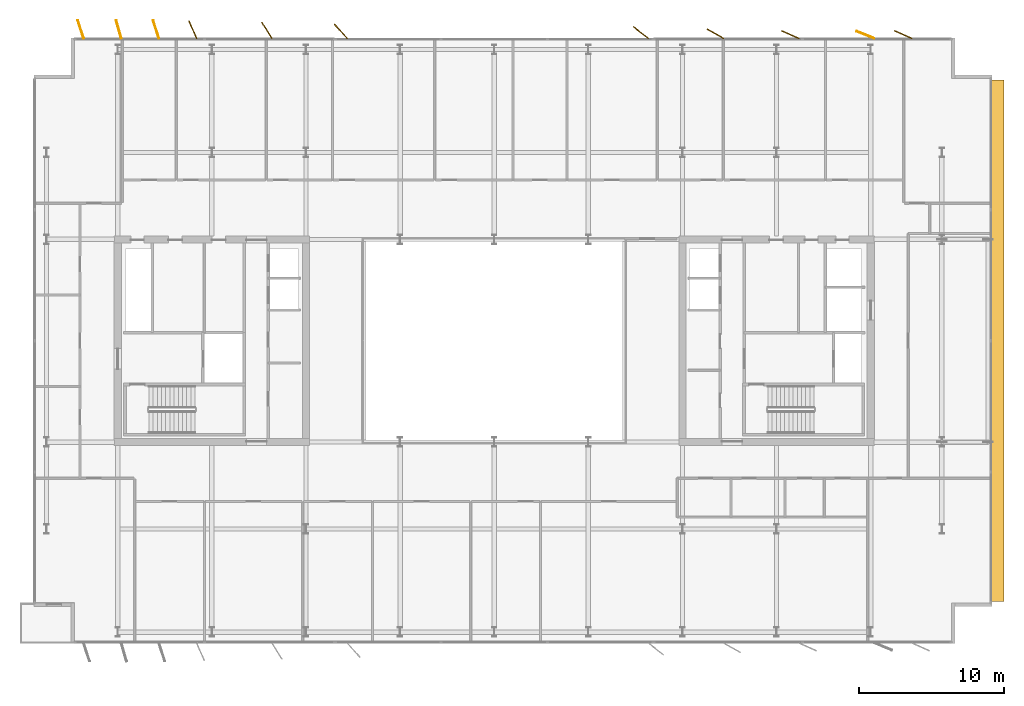
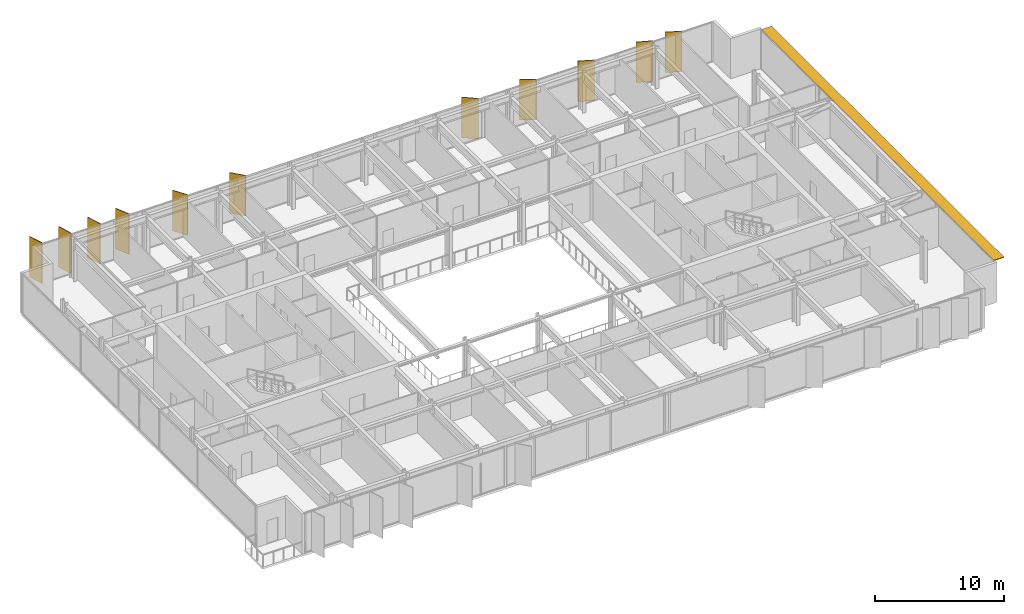
# One storey, part 20 of 20: 12 shading devices.
"""IFC4 building model written with IfcOpenShell, lengths in metres."""

from ifc_helpers import new_model, si_unit, direction, frame, origin, origin_2d, place, context, subcontext, project, spatial, polyline, rectangle, outline, extrude, material, layer, layer_set, type_object, element, save


model = new_model("IFC4")

# Units and contexts
model_context = context("Model", 3, precision=1e-05, world=origin(), true_north=direction((0.0, 1.0)))
body_context = subcontext(model_context, "Body", "Model", "MODEL_VIEW")
ifc_project = project(units=[si_unit("LENGTHUNIT", "METRE"), si_unit("AREAUNIT", "SQUARE_METRE"), si_unit("VOLUMEUNIT", "CUBIC_METRE"), si_unit("PLANEANGLEUNIT", "RADIAN"), si_unit("MASSUNIT", "GRAM", prefix="KILO")], contexts=[model_context])

# Site, building, storey
site_placement = place(None, origin())
site = spatial("IfcSite", under=ifc_project, at=site_placement, CompositionType="ELEMENT")
building_placement = place(site_placement, origin())
building = spatial("IfcBuilding", under=site, at=building_placement, Name="Putna Gate Headquarters", CompositionType="ELEMENT")
storey_placement = place(building_placement, frame((0.0, 0.0, 290.39990234375)))
storey = spatial("IfcBuildingStorey", under=building, at=storey_placement, Name="L73", CompositionType="ELEMENT", Elevation=290.39990234375)

# Shading devices
ifc_material_1 = material(Name="Anodised architectural bronze aluminium fin", Category="aluminium")
ifc_layer_1 = layer(ifc_material_1, 0.06494140625)
ifc_layer_set_1 = layer_set([ifc_layer_1], Name="Anodised architectural bronze aluminium fin")
shading_device_type_1 = type_object("IfcShadingDeviceType", Name="SHADE-BRONZE-FIN-1320", PredefinedType="USERDEFINED", material=ifc_layer_set_1)
for number, where, z_axis, x_axis, name in (
    (1, (10.4462890625, 47.502685546875, -0.02001953125), (0.0, 0.0, 1.0), (-0.308684994204, 0.951164325631, 0.0), "L73 Bronze Vertical Shading Fin N1"),
    (2, (13.068115234375, 47.509521484375, -0.02001953125), (0.0, 0.0, 1.0), (-0.275637355817, 0.961261695938, 0.0), "L73 Bronze Vertical Shading Fin N2"),
    (3, (15.646240234375, 47.502685546875, -0.02001953125), (0.0, 0.0, 1.0), (-0.308684994204, 0.951164325631, 0.0), "L73 Bronze Vertical Shading Fin N3"),
    (4, (18.185546875, 47.479736328125, -0.02001953125), (0.0, 0.0, 1.0), (-0.400668879095, 0.916222925562, 0.0), "L73 Bronze Vertical Shading Fin N4"),
    (5, (23.2998046875, 47.434326171875, -0.02001953125), (0.0, 0.0, 1.0), (-0.530659123936, 0.847585331506, 0.0), "L73 Bronze Vertical Shading Fin N5"),
    (6, (28.408447265625, 47.365478515625, -0.02001953125), (0.0, 0.0, 1.0), (-0.669130606359, 0.743144825477, 0.0), "L73 Bronze Vertical Shading Fin N6"),
    (7, (49.13037109375, 47.28173828125, -0.02001953125), (0.0, 0.0, 1.0), (-0.787473187632, 0.616348909921, 0.0), "L73 Bronze Vertical Shading Fin N7"),
    (8, (54.276123046875, 47.201171875, -0.02001953125), (0.0, 0.0, 1.0), (-0.869322458298, 0.494245347472, 0.0), "L73 Bronze Vertical Shading Fin N8"),
    (9, (59.447021484375, 47.143310546875, -0.02001953125), (0.0, 0.0, 1.0), (-0.913687379856, 0.40641773078, 0.0), "L73 Bronze Vertical Shading Fin N9"),
    (10, (64.63818359375, 47.122314453125, -0.02001953125), (0.0, 0.0, 1.0), (-0.927183854567, 0.374606593416, 0.0), "L73 Bronze Vertical Shading Fin N10"),
    (11, (67.2470703125, 47.143310546875, -0.02001953125), (0.0, 0.0, 1.0), (-0.913687379856, 0.40641773078, 0.0), "L73 Bronze Vertical Shading Fin N11"),
):
    element("IfcShadingDevice", number, at=place(storey_placement, frame(where, z_axis=z_axis, x_axis=x_axis)), inside=storey, type_object=shading_device_type_1, Name=name, ObjectType="FIN", PredefinedType="USERDEFINED", context=body_context, shape_type="SweptSolid", body=[
        extrude(rectangle(XDim=1.320068359375, YDim=0.06494140625, at=origin_2d()), origin(), (0.0, 0.0, 1.0), 3.827880859375),
    ])
ifc_material_2 = material(Name="Anodised architectural bronze sunshade blade", Category="aluminium")
ifc_layer_2 = layer(ifc_material_2, 0.06005859375)
ifc_layer_set_2 = layer_set([ifc_layer_2], Name="Anodised architectural bronze sunshade blade")
shading_device_type_2 = type_object("IfcShadingDeviceType", Name="SHADE-SAIL-BLADE-900", PredefinedType="USERDEFINED", material=ifc_layer_set_2)
shading_device_placement = place(storey_placement, frame((0.0, 0.0, 3.733154296875)))
element("IfcShadingDevice", 12, at=shading_device_placement, inside=storey, type_object=shading_device_type_2, Name="L73 East Sail Horizontal Bronze Sunshade Blade", ObjectType="SUNSHADE", PredefinedType="USERDEFINED", context=body_context, shape_type="SweptSolid", body=[
    extrude(outline(polyline([(73.307373046875, 8.0), (74.207275390625, 8.0), (74.207275390625, 44.0), (73.307373046875, 44.0), (73.307373046875, 8.0)])), origin(), (0.0, 0.0, 1.0), 0.06005859375),
])

save(model, "model.ifc")
